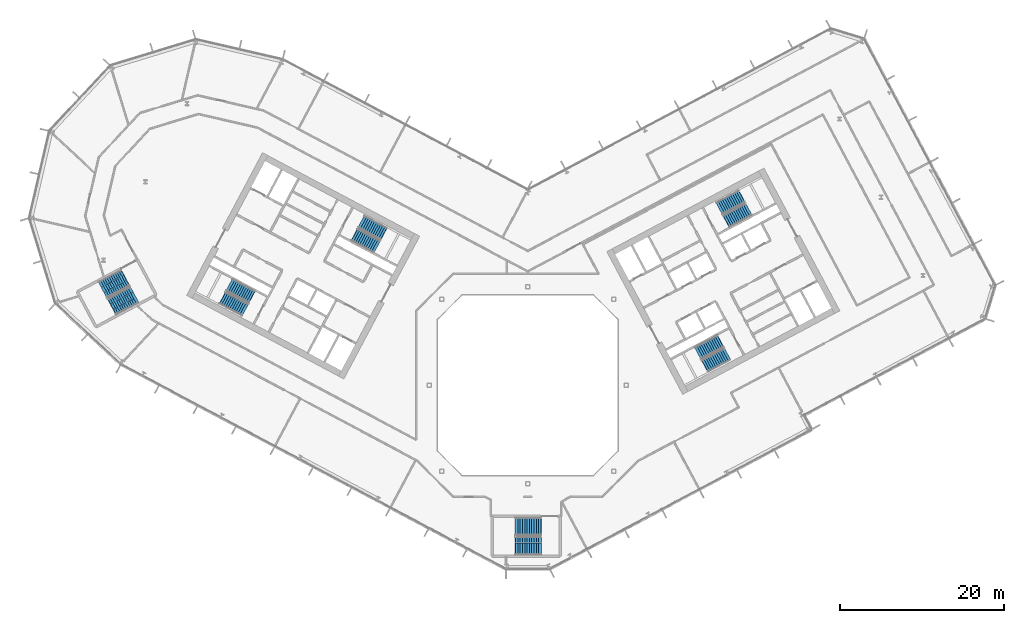
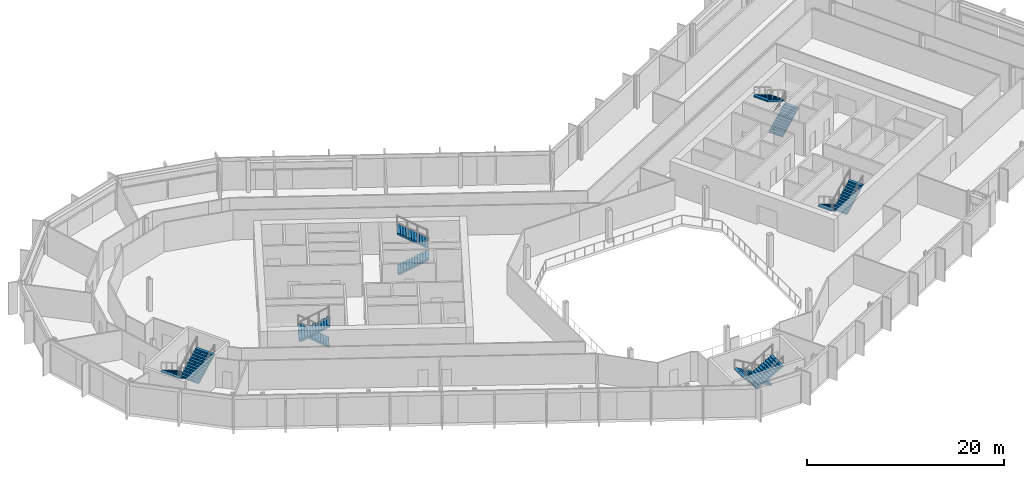
# One storey, part 18 of 28: 12 stair flights, 6 elements without a shape of their own.
"""IFC4 building model written with IfcOpenShell, lengths in metres."""

from ifc_helpers import new_model, si_unit, direction, frame, origin, place, context, subcontext, project, spatial, polyline, outline, extrude, material, type_object, element, aggregate, save


model = new_model("IFC4")

# Units and contexts
model_context = context("Model", 3, precision=1e-05, world=origin(), true_north=direction((0.0, 1.0)))
body_context = subcontext(model_context, "Body", "Model", "MODEL_VIEW")
ifc_project = project(units=[si_unit("LENGTHUNIT", "METRE"), si_unit("AREAUNIT", "SQUARE_METRE"), si_unit("VOLUMEUNIT", "CUBIC_METRE"), si_unit("PLANEANGLEUNIT", "RADIAN"), si_unit("MASSUNIT", "GRAM", prefix="KILO")], contexts=[model_context])

# Site, building, storey
site_placement = place(None, origin())
site = spatial("IfcSite", under=ifc_project, at=site_placement, CompositionType="ELEMENT")
building_placement = place(site_placement, origin())
building = spatial("IfcBuilding", under=site, at=building_placement, Name="Cormorant Relay Tower", CompositionType="ELEMENT")
storey_placement = place(building_placement, frame((0.0, 0.0, 162.199951171875)))
storey = spatial("IfcBuildingStorey", under=building, at=storey_placement, Name="L34", CompositionType="ELEMENT", Elevation=162.199951171875)

# Stair, stair flights
ifc_material_1 = material(Name="Concrete 40 MPa", Category="concrete")
stair_type_1 = type_object("IfcStairType", Name="Exit stair 1500", PredefinedType="HALF_TURN_STAIR", material=ifc_material_1)
stair_1_placement = place(storey_placement, origin())
stair_1 = element("IfcStair", 1, at=stair_1_placement, inside=storey, type_object=stair_type_1, Name="L34 Stair", PredefinedType="HALF_TURN_STAIR")
ifc_material_2 = material(Name="Concrete 40 MPa", Category="concrete")
stair_flight_type_1 = type_object("IfcStairFlightType", Name="Exit stair flight 1650", PredefinedType="STRAIGHT", material=ifc_material_2)
stair_flight_1_placement = place(storey_placement, frame((-21.114501953125, 18.33349609375, 0.0), z_axis=(0.0, 0.0, 1.0), x_axis=(0.882947592859, -0.469471562786, 0.0)))
stair_flight_1 = element("IfcStairFlight", 2, at=stair_flight_1_placement, type_object=stair_flight_type_1, Name="A1 flight 1", NumberOfRisers=12, NumberOfTreads=11, PredefinedType="STRAIGHT", RiserHeight=0.166666667, TreadLength=0.28, context=body_context, shape_type="SweptSolid", body=[
    extrude(outline(polyline([(-0.050048828125, -0.080078125), (-0.050048828125, 0.0), (0.0, 0.0), (0.0, 0.166748046875), (0.280029296875, 0.166748046875), (0.280029296875, 0.333251953125), (0.56005859375, 0.333251953125), (0.56005859375, 0.5), (0.840087890625, 0.5), (0.840087890625, 0.666748046875), (1.1201171875, 0.666748046875), (1.1201171875, 0.833251953125), (1.39990234375, 0.833251953125), (1.39990234375, 1.0), (1.679931640625, 1.0), (1.679931640625, 1.166748046875), (1.9599609375, 1.166748046875), (1.9599609375, 1.333251953125), (2.239990234375, 1.333251953125), (2.239990234375, 1.5), (2.52001953125, 1.5), (2.52001953125, 1.666748046875), (2.800048828125, 1.666748046875), (2.800048828125, 1.833251953125), (3.080078125, 1.833251953125), (3.130126953125, 1.833251953125), (3.130126953125, 1.658935546875), (3.080078125, 1.658935546875), (0.29296875, 0.0), (-0.050048828125, -0.080078125)])), frame((0.0, 0.824951171875, 0.0), z_axis=(0.0, -1.0, 0.0), x_axis=(1.0, 0.0, 0.0)), (0.0, 0.0, 1.0), 1.64990234375),
])
stair_flight_2_placement = place(storey_placement, frame((-17.5498046875, 18.47705078125, 2.0), z_axis=(0.0, 0.0, 1.0), x_axis=(-0.882947592859, 0.469471562786, 0.0)))
stair_flight_2 = element("IfcStairFlight", 3, at=stair_flight_2_placement, type_object=stair_flight_type_1, Name="A1 flight 2", NumberOfRisers=12, NumberOfTreads=11, PredefinedType="STRAIGHT", RiserHeight=0.166666667, TreadLength=0.28, context=body_context, shape_type="SweptSolid", body=[
    extrude(outline(polyline([(-0.050048828125, -0.080078125), (-0.050048828125, 0.0), (0.0, 0.0), (0.0, 0.166748046875), (0.280029296875, 0.166748046875), (0.280029296875, 0.333251953125), (0.56005859375, 0.333251953125), (0.56005859375, 0.5), (0.840087890625, 0.5), (0.840087890625, 0.666748046875), (1.1201171875, 0.666748046875), (1.1201171875, 0.833251953125), (1.39990234375, 0.833251953125), (1.39990234375, 1.0), (1.679931640625, 1.0), (1.679931640625, 1.166748046875), (1.9599609375, 1.166748046875), (1.9599609375, 1.333251953125), (2.239990234375, 1.333251953125), (2.239990234375, 1.5), (2.52001953125, 1.5), (2.52001953125, 1.666748046875), (2.800048828125, 1.666748046875), (2.800048828125, 1.833251953125), (3.080078125, 1.833251953125), (3.130126953125, 1.833251953125), (3.130126953125, 1.658935546875), (3.080078125, 1.658935546875), (0.29296875, 0.0), (-0.050048828125, -0.080078125)])), frame((0.0, 0.824951171875, 0.0), z_axis=(0.0, -1.0, 0.0), x_axis=(1.0, 0.0, 0.0)), (0.0, 0.0, 1.0), 1.64990234375),
])
aggregate(stair_1, [stair_flight_1, stair_flight_2])

stair_2_placement = place(storey_placement, origin())
stair_2 = element("IfcStair", 4, at=stair_2_placement, inside=storey, type_object=stair_type_1, Name="L34 Stair", PredefinedType="HALF_TURN_STAIR")
stair_flight_3_placement = place(storey_placement, frame((-33.62841796875, 10.773681640625, 0.0), z_axis=(0.0, 0.0, 1.0), x_axis=(-0.882947592859, 0.469471562786, 0.0)))
stair_flight_3 = element("IfcStairFlight", 5, at=stair_flight_3_placement, type_object=stair_flight_type_1, Name="A2 flight 1", NumberOfRisers=12, NumberOfTreads=11, PredefinedType="STRAIGHT", RiserHeight=0.166666667, TreadLength=0.28, context=body_context, shape_type="SweptSolid", body=[
    extrude(outline(polyline([(-0.050048828125, -0.080078125), (-0.050048828125, 0.0), (0.0, 0.0), (0.0, 0.166748046875), (0.280029296875, 0.166748046875), (0.280029296875, 0.333251953125), (0.56005859375, 0.333251953125), (0.56005859375, 0.5), (0.840087890625, 0.5), (0.840087890625, 0.666748046875), (1.1201171875, 0.666748046875), (1.1201171875, 0.833251953125), (1.39990234375, 0.833251953125), (1.39990234375, 1.0), (1.679931640625, 1.0), (1.679931640625, 1.166748046875), (1.9599609375, 1.166748046875), (1.9599609375, 1.333251953125), (2.239990234375, 1.333251953125), (2.239990234375, 1.5), (2.52001953125, 1.5), (2.52001953125, 1.666748046875), (2.800048828125, 1.666748046875), (2.800048828125, 1.833251953125), (3.080078125, 1.833251953125), (3.130126953125, 1.833251953125), (3.130126953125, 1.658935546875), (3.080078125, 1.658935546875), (0.29296875, 0.0), (-0.050048828125, -0.080078125)])), frame((0.0, 0.824951171875, 0.0), z_axis=(0.0, -1.0, 0.0), x_axis=(1.0, 0.0, 0.0)), (0.0, 0.0, 1.0), 1.64990234375),
])
stair_flight_4_placement = place(storey_placement, frame((-37.19287109375, 10.63037109375, 2.0), z_axis=(0.0, 0.0, 1.0), x_axis=(0.882947592859, -0.469471562786, 0.0)))
stair_flight_4 = element("IfcStairFlight", 6, at=stair_flight_4_placement, type_object=stair_flight_type_1, Name="A2 flight 2", NumberOfRisers=12, NumberOfTreads=11, PredefinedType="STRAIGHT", RiserHeight=0.166666667, TreadLength=0.28, context=body_context, shape_type="SweptSolid", body=[
    extrude(outline(polyline([(-0.050048828125, -0.080078125), (-0.050048828125, 0.0), (0.0, 0.0), (0.0, 0.166748046875), (0.280029296875, 0.166748046875), (0.280029296875, 0.333251953125), (0.56005859375, 0.333251953125), (0.56005859375, 0.5), (0.840087890625, 0.5), (0.840087890625, 0.666748046875), (1.1201171875, 0.666748046875), (1.1201171875, 0.833251953125), (1.39990234375, 0.833251953125), (1.39990234375, 1.0), (1.679931640625, 1.0), (1.679931640625, 1.166748046875), (1.9599609375, 1.166748046875), (1.9599609375, 1.333251953125), (2.239990234375, 1.333251953125), (2.239990234375, 1.5), (2.52001953125, 1.5), (2.52001953125, 1.666748046875), (2.800048828125, 1.666748046875), (2.800048828125, 1.833251953125), (3.080078125, 1.833251953125), (3.130126953125, 1.833251953125), (3.130126953125, 1.658935546875), (3.080078125, 1.658935546875), (0.29296875, 0.0), (-0.050048828125, -0.080078125)])), frame((0.0, 0.824951171875, 0.0), z_axis=(0.0, -1.0, 0.0), x_axis=(1.0, 0.0, 0.0)), (0.0, 0.0, 1.0), 1.64990234375),
])
aggregate(stair_2, [stair_flight_3, stair_flight_4])

stair_3_placement = place(storey_placement, origin())
stair_3 = element("IfcStair", 7, at=stair_3_placement, inside=storey, type_object=stair_type_1, Name="L34 Stair", PredefinedType="HALF_TURN_STAIR")
stair_flight_5_placement = place(storey_placement, frame((23.474365234375, 5.374755859375, 0.0), z_axis=(0.0, 0.0, 1.0), x_axis=(-0.882947592859, -0.469471562786, 0.0)))
stair_flight_5 = element("IfcStairFlight", 8, at=stair_flight_5_placement, type_object=stair_flight_type_1, Name="B1 flight 1", NumberOfRisers=12, NumberOfTreads=11, PredefinedType="STRAIGHT", RiserHeight=0.166666667, TreadLength=0.28, context=body_context, shape_type="SweptSolid", body=[
    extrude(outline(polyline([(-0.050048828125, -0.080078125), (-0.050048828125, 0.0), (0.0, 0.0), (0.0, 0.166748046875), (0.280029296875, 0.166748046875), (0.280029296875, 0.333251953125), (0.56005859375, 0.333251953125), (0.56005859375, 0.5), (0.840087890625, 0.5), (0.840087890625, 0.666748046875), (1.1201171875, 0.666748046875), (1.1201171875, 0.833251953125), (1.39990234375, 0.833251953125), (1.39990234375, 1.0), (1.679931640625, 1.0), (1.679931640625, 1.166748046875), (1.9599609375, 1.166748046875), (1.9599609375, 1.333251953125), (2.239990234375, 1.333251953125), (2.239990234375, 1.5), (2.52001953125, 1.5), (2.52001953125, 1.666748046875), (2.800048828125, 1.666748046875), (2.800048828125, 1.833251953125), (3.080078125, 1.833251953125), (3.130126953125, 1.833251953125), (3.130126953125, 1.658935546875), (3.080078125, 1.658935546875), (0.29296875, 0.0), (-0.050048828125, -0.080078125)])), frame((0.0, 0.824951171875, 0.0), z_axis=(0.0, -1.0, 0.0), x_axis=(1.0, 0.0, 0.0)), (0.0, 0.0, 1.0), 1.64990234375),
])
stair_flight_6_placement = place(storey_placement, frame((21.60009765625, 2.33935546875, 2.0), z_axis=(0.0, 0.0, 1.0), x_axis=(0.882947592859, 0.469471562786, 0.0)))
stair_flight_6 = element("IfcStairFlight", 9, at=stair_flight_6_placement, type_object=stair_flight_type_1, Name="B1 flight 2", NumberOfRisers=12, NumberOfTreads=11, PredefinedType="STRAIGHT", RiserHeight=0.166666667, TreadLength=0.28, context=body_context, shape_type="SweptSolid", body=[
    extrude(outline(polyline([(-0.050048828125, -0.080078125), (-0.050048828125, 0.0), (0.0, 0.0), (0.0, 0.166748046875), (0.280029296875, 0.166748046875), (0.280029296875, 0.333251953125), (0.56005859375, 0.333251953125), (0.56005859375, 0.5), (0.840087890625, 0.5), (0.840087890625, 0.666748046875), (1.1201171875, 0.666748046875), (1.1201171875, 0.833251953125), (1.39990234375, 0.833251953125), (1.39990234375, 1.0), (1.679931640625, 1.0), (1.679931640625, 1.166748046875), (1.9599609375, 1.166748046875), (1.9599609375, 1.333251953125), (2.239990234375, 1.333251953125), (2.239990234375, 1.5), (2.52001953125, 1.5), (2.52001953125, 1.666748046875), (2.800048828125, 1.666748046875), (2.800048828125, 1.833251953125), (3.080078125, 1.833251953125), (3.130126953125, 1.833251953125), (3.130126953125, 1.658935546875), (3.080078125, 1.658935546875), (0.29296875, 0.0), (-0.050048828125, -0.080078125)])), frame((0.0, 0.824951171875, 0.0), z_axis=(0.0, -1.0, 0.0), x_axis=(1.0, 0.0, 0.0)), (0.0, 0.0, 1.0), 1.64990234375),
])
aggregate(stair_3, [stair_flight_5, stair_flight_6])

stair_4_placement = place(storey_placement, origin())
stair_4 = element("IfcStair", 10, at=stair_4_placement, inside=storey, type_object=stair_type_1, Name="L34 Stair", PredefinedType="HALF_TURN_STAIR")
stair_flight_7_placement = place(storey_placement, frame((24.20458984375, 19.976806640625, 0.0), z_axis=(0.0, 0.0, 1.0), x_axis=(0.882947592859, 0.469471562786, 0.0)))
stair_flight_7 = element("IfcStairFlight", 11, at=stair_flight_7_placement, type_object=stair_flight_type_1, Name="B2 flight 1", NumberOfRisers=12, NumberOfTreads=11, PredefinedType="STRAIGHT", RiserHeight=0.166666667, TreadLength=0.28, context=body_context, shape_type="SweptSolid", body=[
    extrude(outline(polyline([(-0.050048828125, -0.080078125), (-0.050048828125, 0.0), (0.0, 0.0), (0.0, 0.166748046875), (0.280029296875, 0.166748046875), (0.280029296875, 0.333251953125), (0.56005859375, 0.333251953125), (0.56005859375, 0.5), (0.840087890625, 0.5), (0.840087890625, 0.666748046875), (1.1201171875, 0.666748046875), (1.1201171875, 0.833251953125), (1.39990234375, 0.833251953125), (1.39990234375, 1.0), (1.679931640625, 1.0), (1.679931640625, 1.166748046875), (1.9599609375, 1.166748046875), (1.9599609375, 1.333251953125), (2.239990234375, 1.333251953125), (2.239990234375, 1.5), (2.52001953125, 1.5), (2.52001953125, 1.666748046875), (2.800048828125, 1.666748046875), (2.800048828125, 1.833251953125), (3.080078125, 1.833251953125), (3.130126953125, 1.833251953125), (3.130126953125, 1.658935546875), (3.080078125, 1.658935546875), (0.29296875, 0.0), (-0.050048828125, -0.080078125)])), frame((0.0, 0.824951171875, 0.0), z_axis=(0.0, -1.0, 0.0), x_axis=(1.0, 0.0, 0.0)), (0.0, 0.0, 1.0), 1.64990234375),
])
stair_flight_8_placement = place(storey_placement, frame((26.0791015625, 23.011962890625, 2.0), z_axis=(0.0, 0.0, 1.0), x_axis=(-0.882947592859, -0.469471562786, 0.0)))
stair_flight_8 = element("IfcStairFlight", 12, at=stair_flight_8_placement, type_object=stair_flight_type_1, Name="B2 flight 2", NumberOfRisers=12, NumberOfTreads=11, PredefinedType="STRAIGHT", RiserHeight=0.166666667, TreadLength=0.28, context=body_context, shape_type="SweptSolid", body=[
    extrude(outline(polyline([(-0.050048828125, -0.080078125), (-0.050048828125, 0.0), (0.0, 0.0), (0.0, 0.166748046875), (0.280029296875, 0.166748046875), (0.280029296875, 0.333251953125), (0.56005859375, 0.333251953125), (0.56005859375, 0.5), (0.840087890625, 0.5), (0.840087890625, 0.666748046875), (1.1201171875, 0.666748046875), (1.1201171875, 0.833251953125), (1.39990234375, 0.833251953125), (1.39990234375, 1.0), (1.679931640625, 1.0), (1.679931640625, 1.166748046875), (1.9599609375, 1.166748046875), (1.9599609375, 1.333251953125), (2.239990234375, 1.333251953125), (2.239990234375, 1.5), (2.52001953125, 1.5), (2.52001953125, 1.666748046875), (2.800048828125, 1.666748046875), (2.800048828125, 1.833251953125), (3.080078125, 1.833251953125), (3.130126953125, 1.833251953125), (3.130126953125, 1.658935546875), (3.080078125, 1.658935546875), (0.29296875, 0.0), (-0.050048828125, -0.080078125)])), frame((0.0, 0.824951171875, 0.0), z_axis=(0.0, -1.0, 0.0), x_axis=(1.0, 0.0, 0.0)), (0.0, 0.0, 1.0), 1.64990234375),
])
aggregate(stair_4, [stair_flight_7, stair_flight_8])

ifc_material_3 = material(Name="Concrete 40 MPa", Category="concrete")
stair_type_2 = type_object("IfcStairType", Name="Remote exit stair 2200", PredefinedType="HALF_TURN_STAIR", material=ifc_material_3)
stair_5_placement = place(storey_placement, origin())
stair_5 = element("IfcStair", 13, at=stair_5_placement, inside=storey, type_object=stair_type_2, Name="L34 Stair", PredefinedType="HALF_TURN_STAIR")
ifc_material_4 = material(Name="Concrete 40 MPa", Category="concrete")
stair_flight_type_2 = type_object("IfcStairFlightType", Name="Remote exit stair flight 2200", PredefinedType="STRAIGHT", material=ifc_material_4)
stair_flight_9_placement = place(storey_placement, frame((1.60009765625, -17.22509765625, 0.0), z_axis=(0.0, 0.0, 1.0), x_axis=(-1.0, 0.0, 0.0)))
stair_flight_9 = element("IfcStairFlight", 14, at=stair_flight_9_placement, type_object=stair_flight_type_2, Name="RK1 flight 1", NumberOfRisers=12, NumberOfTreads=11, PredefinedType="STRAIGHT", RiserHeight=0.166666667, TreadLength=0.28, context=body_context, shape_type="SweptSolid", body=[
    extrude(outline(polyline([(-0.050048828125, -0.080078125), (-0.050048828125, 0.0), (0.0, 0.0), (0.0, 0.166748046875), (0.280029296875, 0.166748046875), (0.280029296875, 0.333251953125), (0.56005859375, 0.333251953125), (0.56005859375, 0.5), (0.840087890625, 0.5), (0.840087890625, 0.666748046875), (1.1201171875, 0.666748046875), (1.1201171875, 0.833251953125), (1.39990234375, 0.833251953125), (1.39990234375, 1.0), (1.679931640625, 1.0), (1.679931640625, 1.166748046875), (1.9599609375, 1.166748046875), (1.9599609375, 1.333251953125), (2.239990234375, 1.333251953125), (2.239990234375, 1.5), (2.52001953125, 1.5), (2.52001953125, 1.666748046875), (2.800048828125, 1.666748046875), (2.800048828125, 1.833251953125), (3.080078125, 1.833251953125), (3.130126953125, 1.833251953125), (3.130126953125, 1.658935546875), (3.080078125, 1.658935546875), (0.29296875, 0.0), (-0.050048828125, -0.080078125)])), frame((0.0, 1.10009765625, 0.0), z_axis=(0.0, -1.0, 0.0), x_axis=(1.0, 0.0, 0.0)), (0.0, 0.0, 1.0), 0.719970703125),
    extrude(outline(polyline([(-0.050048828125, -0.080078125), (-0.050048828125, 0.0), (0.0, 0.0), (0.0, 0.166748046875), (0.280029296875, 0.166748046875), (0.280029296875, 0.333251953125), (0.56005859375, 0.333251953125), (0.56005859375, 0.5), (0.840087890625, 0.5), (0.840087890625, 0.666748046875), (1.1201171875, 0.666748046875), (1.1201171875, 0.833251953125), (1.39990234375, 0.833251953125), (1.39990234375, 1.0), (1.679931640625, 1.0), (1.679931640625, 1.166748046875), (1.9599609375, 1.166748046875), (1.9599609375, 1.333251953125), (2.239990234375, 1.333251953125), (2.239990234375, 1.5), (2.52001953125, 1.5), (2.52001953125, 1.666748046875), (2.800048828125, 1.666748046875), (2.800048828125, 1.833251953125), (3.080078125, 1.833251953125), (3.130126953125, 1.833251953125), (3.130126953125, 1.658935546875), (3.080078125, 1.658935546875), (0.29296875, 0.0), (-0.050048828125, -0.080078125)])), frame((0.0, 0.360107421875, 0.0), z_axis=(0.0, -1.0, 0.0), x_axis=(1.0, 0.0, 0.0)), (0.0, 0.0, 1.0), 0.719970703125),
    extrude(outline(polyline([(-0.050048828125, -0.080078125), (-0.050048828125, 0.0), (0.0, 0.0), (0.0, 0.166748046875), (0.280029296875, 0.166748046875), (0.280029296875, 0.333251953125), (0.56005859375, 0.333251953125), (0.56005859375, 0.5), (0.840087890625, 0.5), (0.840087890625, 0.666748046875), (1.1201171875, 0.666748046875), (1.1201171875, 0.833251953125), (1.39990234375, 0.833251953125), (1.39990234375, 1.0), (1.679931640625, 1.0), (1.679931640625, 1.166748046875), (1.9599609375, 1.166748046875), (1.9599609375, 1.333251953125), (2.239990234375, 1.333251953125), (2.239990234375, 1.5), (2.52001953125, 1.5), (2.52001953125, 1.666748046875), (2.800048828125, 1.666748046875), (2.800048828125, 1.833251953125), (3.080078125, 1.833251953125), (3.130126953125, 1.833251953125), (3.130126953125, 1.658935546875), (3.080078125, 1.658935546875), (0.29296875, 0.0), (-0.050048828125, -0.080078125)])), frame((0.0, -0.3798828125, 0.0), z_axis=(0.0, -1.0, 0.0), x_axis=(1.0, 0.0, 0.0)), (0.0, 0.0, 1.0), 0.719970703125),
])
stair_flight_10_placement = place(storey_placement, frame((-1.47998046875, -19.574951171875, 2.0), z_axis=(0.0, 0.0, 1.0), x_axis=(1.0, 0.0, 0.0)))
stair_flight_10 = element("IfcStairFlight", 15, at=stair_flight_10_placement, type_object=stair_flight_type_2, Name="RK1 flight 2", NumberOfRisers=12, NumberOfTreads=11, PredefinedType="STRAIGHT", RiserHeight=0.166666667, TreadLength=0.28, context=body_context, shape_type="SweptSolid", body=[
    extrude(outline(polyline([(-0.050048828125, -0.080078125), (-0.050048828125, 0.0), (0.0, 0.0), (0.0, 0.166748046875), (0.280029296875, 0.166748046875), (0.280029296875, 0.333251953125), (0.56005859375, 0.333251953125), (0.56005859375, 0.5), (0.840087890625, 0.5), (0.840087890625, 0.666748046875), (1.1201171875, 0.666748046875), (1.1201171875, 0.833251953125), (1.39990234375, 0.833251953125), (1.39990234375, 1.0), (1.679931640625, 1.0), (1.679931640625, 1.166748046875), (1.9599609375, 1.166748046875), (1.9599609375, 1.333251953125), (2.239990234375, 1.333251953125), (2.239990234375, 1.5), (2.52001953125, 1.5), (2.52001953125, 1.666748046875), (2.800048828125, 1.666748046875), (2.800048828125, 1.833251953125), (3.080078125, 1.833251953125), (3.130126953125, 1.833251953125), (3.130126953125, 1.658935546875), (3.080078125, 1.658935546875), (0.29296875, 0.0), (-0.050048828125, -0.080078125)])), frame((0.0, 1.10009765625, 0.0), z_axis=(0.0, -1.0, 0.0), x_axis=(1.0, 0.0, 0.0)), (0.0, 0.0, 1.0), 0.719970703125),
    extrude(outline(polyline([(-0.050048828125, -0.080078125), (-0.050048828125, 0.0), (0.0, 0.0), (0.0, 0.166748046875), (0.280029296875, 0.166748046875), (0.280029296875, 0.333251953125), (0.56005859375, 0.333251953125), (0.56005859375, 0.5), (0.840087890625, 0.5), (0.840087890625, 0.666748046875), (1.1201171875, 0.666748046875), (1.1201171875, 0.833251953125), (1.39990234375, 0.833251953125), (1.39990234375, 1.0), (1.679931640625, 1.0), (1.679931640625, 1.166748046875), (1.9599609375, 1.166748046875), (1.9599609375, 1.333251953125), (2.239990234375, 1.333251953125), (2.239990234375, 1.5), (2.52001953125, 1.5), (2.52001953125, 1.666748046875), (2.800048828125, 1.666748046875), (2.800048828125, 1.833251953125), (3.080078125, 1.833251953125), (3.130126953125, 1.833251953125), (3.130126953125, 1.658935546875), (3.080078125, 1.658935546875), (0.29296875, 0.0), (-0.050048828125, -0.080078125)])), frame((0.0, 0.360107421875, 0.0), z_axis=(0.0, -1.0, 0.0), x_axis=(1.0, 0.0, 0.0)), (0.0, 0.0, 1.0), 0.719970703125),
    extrude(outline(polyline([(-0.050048828125, -0.080078125), (-0.050048828125, 0.0), (0.0, 0.0), (0.0, 0.166748046875), (0.280029296875, 0.166748046875), (0.280029296875, 0.333251953125), (0.56005859375, 0.333251953125), (0.56005859375, 0.5), (0.840087890625, 0.5), (0.840087890625, 0.666748046875), (1.1201171875, 0.666748046875), (1.1201171875, 0.833251953125), (1.39990234375, 0.833251953125), (1.39990234375, 1.0), (1.679931640625, 1.0), (1.679931640625, 1.166748046875), (1.9599609375, 1.166748046875), (1.9599609375, 1.333251953125), (2.239990234375, 1.333251953125), (2.239990234375, 1.5), (2.52001953125, 1.5), (2.52001953125, 1.666748046875), (2.800048828125, 1.666748046875), (2.800048828125, 1.833251953125), (3.080078125, 1.833251953125), (3.130126953125, 1.833251953125), (3.130126953125, 1.658935546875), (3.080078125, 1.658935546875), (0.29296875, 0.0), (-0.050048828125, -0.080078125)])), frame((0.0, -0.3798828125, 0.0), z_axis=(0.0, -1.0, 0.0), x_axis=(1.0, 0.0, 0.0)), (0.0, 0.0, 1.0), 0.719970703125),
])
aggregate(stair_5, [stair_flight_9, stair_flight_10])

stair_6_placement = place(storey_placement, origin())
stair_6 = element("IfcStair", 16, at=stair_6_placement, inside=storey, type_object=stair_type_2, Name="L34 Stair", PredefinedType="HALF_TURN_STAIR")
stair_flight_11_placement = place(storey_placement, frame((-49.062255859375, 13.08251953125, 0.0), z_axis=(0.0, 0.0, 1.0), x_axis=(-0.882947502727, -0.4694717323, 0.0)))
stair_flight_11 = element("IfcStairFlight", 17, at=stair_flight_11_placement, type_object=stair_flight_type_2, Name="RP1 flight 1", NumberOfRisers=12, NumberOfTreads=11, PredefinedType="STRAIGHT", RiserHeight=0.166666667, TreadLength=0.28, context=body_context, shape_type="SweptSolid", body=[
    extrude(outline(polyline([(-0.050048828125, -0.080078125), (-0.050048828125, 0.0), (0.0, 0.0), (0.0, 0.166748046875), (0.280029296875, 0.166748046875), (0.280029296875, 0.333251953125), (0.56005859375, 0.333251953125), (0.56005859375, 0.5), (0.840087890625, 0.5), (0.840087890625, 0.666748046875), (1.1201171875, 0.666748046875), (1.1201171875, 0.833251953125), (1.39990234375, 0.833251953125), (1.39990234375, 1.0), (1.679931640625, 1.0), (1.679931640625, 1.166748046875), (1.9599609375, 1.166748046875), (1.9599609375, 1.333251953125), (2.239990234375, 1.333251953125), (2.239990234375, 1.5), (2.52001953125, 1.5), (2.52001953125, 1.666748046875), (2.800048828125, 1.666748046875), (2.800048828125, 1.833251953125), (3.080078125, 1.833251953125), (3.130126953125, 1.833251953125), (3.130126953125, 1.658935546875), (3.080078125, 1.658935546875), (0.29296875, 0.0), (-0.050048828125, -0.080078125)])), frame((0.0, 1.10009765625, 0.0), z_axis=(0.0, -1.0, 0.0), x_axis=(1.0, 0.0, 0.0)), (0.0, 0.0, 1.0), 0.719970703125),
    extrude(outline(polyline([(-0.050048828125, -0.080078125), (-0.050048828125, 0.0), (0.0, 0.0), (0.0, 0.166748046875), (0.280029296875, 0.166748046875), (0.280029296875, 0.333251953125), (0.56005859375, 0.333251953125), (0.56005859375, 0.5), (0.840087890625, 0.5), (0.840087890625, 0.666748046875), (1.1201171875, 0.666748046875), (1.1201171875, 0.833251953125), (1.39990234375, 0.833251953125), (1.39990234375, 1.0), (1.679931640625, 1.0), (1.679931640625, 1.166748046875), (1.9599609375, 1.166748046875), (1.9599609375, 1.333251953125), (2.239990234375, 1.333251953125), (2.239990234375, 1.5), (2.52001953125, 1.5), (2.52001953125, 1.666748046875), (2.800048828125, 1.666748046875), (2.800048828125, 1.833251953125), (3.080078125, 1.833251953125), (3.130126953125, 1.833251953125), (3.130126953125, 1.658935546875), (3.080078125, 1.658935546875), (0.29296875, 0.0), (-0.050048828125, -0.080078125)])), frame((0.0, 0.360107421875, 0.0), z_axis=(0.0, -1.0, 0.0), x_axis=(1.0, 0.0, 0.0)), (0.0, 0.0, 1.0), 0.719970703125),
    extrude(outline(polyline([(-0.050048828125, -0.080078125), (-0.050048828125, 0.0), (0.0, 0.0), (0.0, 0.166748046875), (0.280029296875, 0.166748046875), (0.280029296875, 0.333251953125), (0.56005859375, 0.333251953125), (0.56005859375, 0.5), (0.840087890625, 0.5), (0.840087890625, 0.666748046875), (1.1201171875, 0.666748046875), (1.1201171875, 0.833251953125), (1.39990234375, 0.833251953125), (1.39990234375, 1.0), (1.679931640625, 1.0), (1.679931640625, 1.166748046875), (1.9599609375, 1.166748046875), (1.9599609375, 1.333251953125), (2.239990234375, 1.333251953125), (2.239990234375, 1.5), (2.52001953125, 1.5), (2.52001953125, 1.666748046875), (2.800048828125, 1.666748046875), (2.800048828125, 1.833251953125), (3.080078125, 1.833251953125), (3.130126953125, 1.833251953125), (3.130126953125, 1.658935546875), (3.080078125, 1.658935546875), (0.29296875, 0.0), (-0.050048828125, -0.080078125)])), frame((0.0, -0.3798828125, 0.0), z_axis=(0.0, -1.0, 0.0), x_axis=(1.0, 0.0, 0.0)), (0.0, 0.0, 1.0), 0.719970703125),
])
stair_flight_12_placement = place(storey_placement, frame((-50.678466796875, 9.5615234375, 2.0), z_axis=(0.0, 0.0, 1.0), x_axis=(0.882947502727, 0.4694717323, 0.0)))
stair_flight_12 = element("IfcStairFlight", 18, at=stair_flight_12_placement, type_object=stair_flight_type_2, Name="RP1 flight 2", NumberOfRisers=12, NumberOfTreads=11, PredefinedType="STRAIGHT", RiserHeight=0.166666667, TreadLength=0.28, context=body_context, shape_type="SweptSolid", body=[
    extrude(outline(polyline([(-0.050048828125, -0.080078125), (-0.050048828125, 0.0), (0.0, 0.0), (0.0, 0.166748046875), (0.280029296875, 0.166748046875), (0.280029296875, 0.333251953125), (0.56005859375, 0.333251953125), (0.56005859375, 0.5), (0.840087890625, 0.5), (0.840087890625, 0.666748046875), (1.1201171875, 0.666748046875), (1.1201171875, 0.833251953125), (1.39990234375, 0.833251953125), (1.39990234375, 1.0), (1.679931640625, 1.0), (1.679931640625, 1.166748046875), (1.9599609375, 1.166748046875), (1.9599609375, 1.333251953125), (2.239990234375, 1.333251953125), (2.239990234375, 1.5), (2.52001953125, 1.5), (2.52001953125, 1.666748046875), (2.800048828125, 1.666748046875), (2.800048828125, 1.833251953125), (3.080078125, 1.833251953125), (3.130126953125, 1.833251953125), (3.130126953125, 1.658935546875), (3.080078125, 1.658935546875), (0.29296875, 0.0), (-0.050048828125, -0.080078125)])), frame((0.0, 1.10009765625, 0.0), z_axis=(0.0, -1.0, 0.0), x_axis=(1.0, 0.0, 0.0)), (0.0, 0.0, 1.0), 0.719970703125),
    extrude(outline(polyline([(-0.050048828125, -0.080078125), (-0.050048828125, 0.0), (0.0, 0.0), (0.0, 0.166748046875), (0.280029296875, 0.166748046875), (0.280029296875, 0.333251953125), (0.56005859375, 0.333251953125), (0.56005859375, 0.5), (0.840087890625, 0.5), (0.840087890625, 0.666748046875), (1.1201171875, 0.666748046875), (1.1201171875, 0.833251953125), (1.39990234375, 0.833251953125), (1.39990234375, 1.0), (1.679931640625, 1.0), (1.679931640625, 1.166748046875), (1.9599609375, 1.166748046875), (1.9599609375, 1.333251953125), (2.239990234375, 1.333251953125), (2.239990234375, 1.5), (2.52001953125, 1.5), (2.52001953125, 1.666748046875), (2.800048828125, 1.666748046875), (2.800048828125, 1.833251953125), (3.080078125, 1.833251953125), (3.130126953125, 1.833251953125), (3.130126953125, 1.658935546875), (3.080078125, 1.658935546875), (0.29296875, 0.0), (-0.050048828125, -0.080078125)])), frame((0.0, 0.360107421875, 0.0), z_axis=(0.0, -1.0, 0.0), x_axis=(1.0, 0.0, 0.0)), (0.0, 0.0, 1.0), 0.719970703125),
    extrude(outline(polyline([(-0.050048828125, -0.080078125), (-0.050048828125, 0.0), (0.0, 0.0), (0.0, 0.166748046875), (0.280029296875, 0.166748046875), (0.280029296875, 0.333251953125), (0.56005859375, 0.333251953125), (0.56005859375, 0.5), (0.840087890625, 0.5), (0.840087890625, 0.666748046875), (1.1201171875, 0.666748046875), (1.1201171875, 0.833251953125), (1.39990234375, 0.833251953125), (1.39990234375, 1.0), (1.679931640625, 1.0), (1.679931640625, 1.166748046875), (1.9599609375, 1.166748046875), (1.9599609375, 1.333251953125), (2.239990234375, 1.333251953125), (2.239990234375, 1.5), (2.52001953125, 1.5), (2.52001953125, 1.666748046875), (2.800048828125, 1.666748046875), (2.800048828125, 1.833251953125), (3.080078125, 1.833251953125), (3.130126953125, 1.833251953125), (3.130126953125, 1.658935546875), (3.080078125, 1.658935546875), (0.29296875, 0.0), (-0.050048828125, -0.080078125)])), frame((0.0, -0.3798828125, 0.0), z_axis=(0.0, -1.0, 0.0), x_axis=(1.0, 0.0, 0.0)), (0.0, 0.0, 1.0), 0.719970703125),
])
aggregate(stair_6, [stair_flight_11, stair_flight_12])

save(model, "model.ifc")
